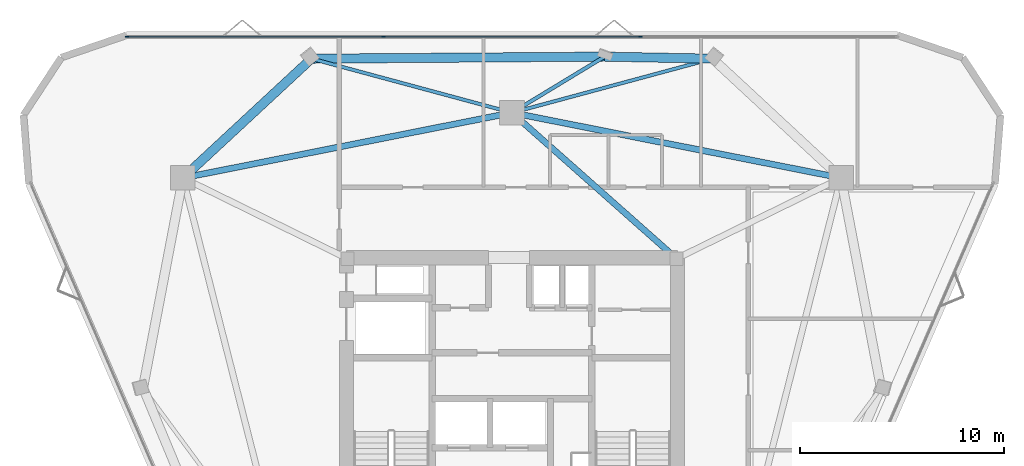
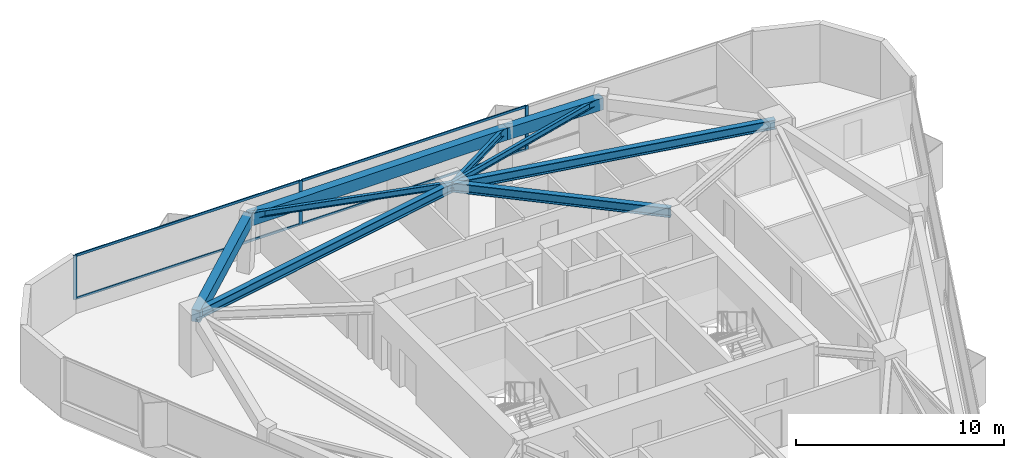
# One storey, part 6 of 11: 9 beams, 7 members, 1 element without a shape of its own.
"""IFC4 building model written with IfcOpenShell, lengths in metres."""

from ifc_helpers import new_model, si_unit, direction, frame, origin, origin_2d, place, context, subcontext, project, spatial, rectangle, i_section, extrude, material, layer, layer_set, material_profile, profile_set, type_object, element, aggregate, save


model = new_model("IFC4")

# Units and contexts
model_context = context("Model", 3, precision=1e-05, world=origin(), true_north=direction((0.0, 1.0)))
body_context = subcontext(model_context, "Body", "Model", "MODEL_VIEW")
ifc_project = project(units=[si_unit("LENGTHUNIT", "METRE"), si_unit("AREAUNIT", "SQUARE_METRE"), si_unit("VOLUMEUNIT", "CUBIC_METRE"), si_unit("PLANEANGLEUNIT", "RADIAN"), si_unit("MASSUNIT", "GRAM", prefix="KILO")], contexts=[model_context])

# Site, building, storey
site_placement = place(None, origin())
site = spatial("IfcSite", under=ifc_project, at=site_placement, CompositionType="ELEMENT")
building_placement = place(site_placement, origin())
building = spatial("IfcBuilding", under=site, at=building_placement, Name="Talyreon Biosciences Tower", CompositionType="ELEMENT")
storey_placement = place(building_placement, frame((0.0, 0.0, 235.25)))
storey = spatial("IfcBuildingStorey", under=building, at=storey_placement, Name="L62", CompositionType="ELEMENT", Elevation=235.25)

# Curtain wall, members
ifc_material_1 = material(Name="Thermally broken aluminium and low-E glazing", Category="aluminium")
ifc_layer = layer(ifc_material_1, 0.175048828125)
ifc_layer_set = layer_set([ifc_layer], Name="Thermally broken aluminium and low-E glazing")
curtain_wall_type = type_object("IfcCurtainWallType", Name="CurtainWall_Zone5CompLab", PredefinedType="NOTDEFINED", material=ifc_layer_set)
curtain_wall_placement = place(storey_placement, origin())
curtain_wall = element("IfcCurtainWall", 1, at=curtain_wall_placement, inside=storey, type_object=curtain_wall_type, Name="L62 Unitised Curtain Wall FCW-L62-04", PredefinedType="NOTDEFINED")
ifc_material_2 = material(Name="Anodised thermally broken aluminium", Category="aluminium")
ifc_material_profile_1 = material_profile(ifc_material_2, rectangle(XDim=0.06494140625, YDim=0.179931640625, at=origin_2d()), Name="ALUM MULLION 65x180")
ifc_profile_set_1 = profile_set([ifc_material_profile_1], Name="Anodised thermally broken aluminium")
member_type_1 = type_object("IfcMemberType", Name="CWMullion_65x180", PredefinedType="MULLION", material=ifc_profile_set_1)
member_1_placement = place(storey_placement, frame((47.1630859375, 85.504638671875, 0.81005859375), z_axis=(0.0, 0.0, 1.0), x_axis=(0.0, 1.0, 0.0)))
member_1 = element("IfcMember", 2, at=member_1_placement, type_object=member_type_1, Name="CW6 mullion 1", PredefinedType="MULLION", context=body_context, shape_type="SweptSolid", body=[
    extrude(rectangle(XDim=0.06494140625, YDim=0.179931640625, at=origin_2d()), origin(), (0.0, 0.0, 1.0), 2.58984375),
])
member_2_placement = place(storey_placement, frame((59.710205078125, 85.504638671875, 0.81005859375), z_axis=(0.0, 0.0, 1.0), x_axis=(0.0, 1.0, 0.0)))
member_2 = element("IfcMember", 3, at=member_2_placement, type_object=member_type_1, Name="CW6 mullion 2", PredefinedType="MULLION", context=body_context, shape_type="SweptSolid", body=[
    extrude(rectangle(XDim=0.06494140625, YDim=0.179931640625, at=origin_2d()), origin(), (0.0, 0.0, 1.0), 2.58984375),
])
member_3_placement = place(storey_placement, frame((72.289794921875, 85.504638671875, 0.81005859375), z_axis=(0.0, 0.0, 1.0), x_axis=(0.0, 1.0, 0.0)))
member_3 = element("IfcMember", 4, at=member_3_placement, type_object=member_type_1, Name="CW6 mullion 3", PredefinedType="MULLION", context=body_context, shape_type="SweptSolid", body=[
    extrude(rectangle(XDim=0.06494140625, YDim=0.179931640625, at=origin_2d()), origin(), (0.0, 0.0, 1.0), 2.58984375),
])
ifc_material_profile_2 = material_profile(ifc_material_2, rectangle(XDim=0.06494140625, YDim=0.139892578125, at=origin_2d()), Name="ALUM TRANSOM 65x140")
ifc_profile_set_2 = profile_set([ifc_material_profile_2], Name="Anodised thermally broken aluminium")
member_type_2 = type_object("IfcMemberType", Name="CWTransom_65x140", PredefinedType="USERDEFINED", material=ifc_profile_set_2)
member_4_placement = place(storey_placement, frame((47.19580078125, 85.504638671875, 0.842529296875), z_axis=(1.0, 0.0, 0.0), x_axis=(0.0, 1.0, 0.0)))
member_4 = element("IfcMember", 5, at=member_4_placement, type_object=member_type_2, Name="CW6 transom 1.1", ObjectType="TRANSOM", PredefinedType="USERDEFINED", context=body_context, shape_type="SweptSolid", body=[
    extrude(rectangle(XDim=0.06494140625, YDim=0.139892578125, at=origin_2d()), origin(), (0.0, 0.0, 1.0), 12.48193359375),
])
member_5_placement = place(storey_placement, frame((47.19580078125, 85.504638671875, 3.367431640625), z_axis=(1.0, 0.0, 0.0), x_axis=(0.0, 1.0, 0.0)))
member_5 = element("IfcMember", 6, at=member_5_placement, type_object=member_type_2, Name="CW6 transom 1.2", ObjectType="TRANSOM", PredefinedType="USERDEFINED", context=body_context, shape_type="SweptSolid", body=[
    extrude(rectangle(XDim=0.06494140625, YDim=0.139892578125, at=origin_2d()), origin(), (0.0, 0.0, 1.0), 12.48193359375),
])
member_6_placement = place(storey_placement, frame((59.74267578125, 85.504638671875, 0.842529296875), z_axis=(1.0, 0.0, 0.0), x_axis=(0.0, 1.0, 0.0)))
member_6 = element("IfcMember", 7, at=member_6_placement, type_object=member_type_2, Name="CW6 transom 2.1", ObjectType="TRANSOM", PredefinedType="USERDEFINED", context=body_context, shape_type="SweptSolid", body=[
    extrude(rectangle(XDim=0.06494140625, YDim=0.139892578125, at=origin_2d()), origin(), (0.0, 0.0, 1.0), 12.514404296875),
])
member_7_placement = place(storey_placement, frame((59.74267578125, 85.504638671875, 3.367431640625), z_axis=(1.0, 0.0, 0.0), x_axis=(0.0, 1.0, 0.0)))
member_7 = element("IfcMember", 8, at=member_7_placement, type_object=member_type_2, Name="CW6 transom 2.2", ObjectType="TRANSOM", PredefinedType="USERDEFINED", context=body_context, shape_type="SweptSolid", body=[
    extrude(rectangle(XDim=0.06494140625, YDim=0.139892578125, at=origin_2d()), origin(), (0.0, 0.0, 1.0), 12.514404296875),
])
aggregate(curtain_wall, [member_1, member_2, member_3, member_4, member_5, member_6, member_7])

# Beams
ifc_material_3 = material(Name="Precast concrete C45/55", Category="concrete")
ifc_material_profile_3 = material_profile(ifc_material_3, rectangle(XDim=0.449951171875, YDim=0.699951171875, at=origin_2d()), Name="RCB 450x700")
ifc_profile_set_3 = profile_set([ifc_material_profile_3], Name="Precast concrete C45/55")
beam_type_1 = type_object("IfcBeamType", Name="ExpressedSpandrel_450x700", PredefinedType="SPANDREL", material=ifc_profile_set_3)
beam_1_placement = place(storey_placement, frame((75.81201171875, 84.434814453125, 3.050048828125), z_axis=(-0.999821455841, 0.01889593713, 0.0), x_axis=(-0.01889593713, -0.999821455841, 0.0)))
element("IfcBeam", 9, at=beam_1_placement, inside=storey, type_object=beam_type_1, Name="L62 Expressed Horizontal Concrete Spandrel 06", PredefinedType="SPANDREL", context=body_context, shape_type="SweptSolid", body=[
    extrude(rectangle(XDim=0.449951171875, YDim=0.699951171875, at=origin_2d()), origin(), (0.0, 0.0, 1.0), 5.284423828125),
])
beam_2_placement = place(storey_placement, frame((70.528564453125, 84.53466796875, 3.050048828125), z_axis=(-0.999975759156, -0.00696283705, 0.0), x_axis=(0.00696283705, -0.999975759156, 0.0)))
element("IfcBeam", 10, at=beam_2_placement, inside=storey, type_object=beam_type_1, Name="L62 Expressed Horizontal Concrete Spandrel 07", PredefinedType="SPANDREL", context=body_context, shape_type="SweptSolid", body=[
    extrude(rectangle(XDim=0.449951171875, YDim=0.699951171875, at=origin_2d()), origin(), (0.0, 0.0, 1.0), 14.3408203125),
])
beam_3_placement = place(storey_placement, frame((56.18798828125, 84.434814453125, 3.050048828125), z_axis=(-0.733072106275, -0.680150929575, 0.0), x_axis=(0.680150929575, -0.733072106275, 0.0)))
element("IfcBeam", 11, at=beam_3_placement, inside=storey, type_object=beam_type_1, Name="L62 Expressed Horizontal Concrete Spandrel 08", PredefinedType="SPANDREL", context=body_context, shape_type="SweptSolid", body=[
    extrude(rectangle(XDim=0.449951171875, YDim=0.699951171875, at=origin_2d()), origin(), (0.0, 0.0, 1.0), 8.580810546875),
])
ifc_material_4 = material(Name="Steel SM355", Category="steel")
ifc_material_profile_4 = material_profile(ifc_material_4, i_section(OverallWidth=0.300048828125, OverallDepth=0.550048828125, WebThickness=0.014892578125, FlangeThickness=0.029052734375, FilletRadius=0.027099609375, at=origin_2d()), Name="HE550B")
ifc_profile_set_4 = profile_set([ifc_material_profile_4], Name="Steel SM355")
beam_type_2 = type_object("IfcBeamType", Name="SteelBeam_HE550B", PredefinedType="BEAM", material=ifc_profile_set_4)
for number, where, z_axis, x_axis, name in (
    (12, (82.102294921875, 78.5986328125, 3.125), (-0.980933730698, 0.194342522311, 0.0), (-0.194342522311, -0.980933730698, 0.0), "L62 Mega-Ring Girder 3"),
    (13, (66.0, 81.788818359375, 3.125), (-0.980933730698, -0.194342522311, 0.0), (0.194342522311, -0.980933730698, 0.0), "L62 Mega-Ring Girder 4"),
):
    element("IfcBeam", number, at=place(storey_placement, frame(where, z_axis=z_axis, x_axis=x_axis)), inside=storey, type_object=beam_type_2, Name=name, PredefinedType="BEAM", context=body_context, shape_type="SweptSolid", body=[
        extrude(i_section(OverallWidth=0.300048828125, OverallDepth=0.550048828125, WebThickness=0.014892578125, FlangeThickness=0.029052734375, FilletRadius=0.027099609375, at=origin_2d()), origin(), (0.0, 0.0, 1.0), 16.415283203125),
    ])
beam_4_placement = place(storey_placement, frame((74.050048828125, 74.64990234375, 3.125), z_axis=(-0.748178733955, 0.663497235908, 0.0), x_axis=(-0.663497235908, -0.748178733955, 0.0)))
element("IfcBeam", 14, at=beam_4_placement, inside=storey, type_object=beam_type_2, Name="L62 Radial Primary Girder 4", PredefinedType="BEAM", context=body_context, shape_type="SweptSolid", body=[
    extrude(i_section(OverallWidth=0.300048828125, OverallDepth=0.550048828125, WebThickness=0.014892578125, FlangeThickness=0.029052734375, FilletRadius=0.027099609375, at=origin_2d()), origin(), (0.0, 0.0, 1.0), 10.759521484375),
])
ifc_material_profile_5 = material_profile(ifc_material_4, i_section(OverallWidth=0.169921875, OverallDepth=0.360107421875, WebThickness=0.008056640625, FlangeThickness=0.0126953125, FilletRadius=0.01806640625, at=origin_2d()), Name="IPE360")
ifc_profile_set_5 = profile_set([ifc_material_profile_5], Name="Steel SM355")
beam_type_3 = type_object("IfcBeamType", Name="SteelJoist_IPE360", PredefinedType="JOIST", material=ifc_profile_set_5)
for number, where, z_axis, x_axis, name in (
    (15, (66.0, 81.788818359375, 3.219970703125), (0.965509443779, 0.260368035623, 0.0), (-0.260368035623, 0.965509443779, 0.0), "L62 Radial Composite Floor Joist PC-N1"),
    (16, (66.0, 81.788818359375, 3.219970703125), (-0.965509443779, 0.260368035623, 0.0), (-0.260368035623, -0.965509443779, 0.0), "L62 Radial Composite Floor Joist PC-N2"),
):
    element("IfcBeam", number, at=place(storey_placement, frame(where, z_axis=z_axis, x_axis=x_axis)), inside=storey, type_object=beam_type_3, Name=name, PredefinedType="JOIST", context=body_context, shape_type="SweptSolid", body=[
        extrude(i_section(OverallWidth=0.169921875, OverallDepth=0.360107421875, WebThickness=0.008056640625, FlangeThickness=0.0126953125, FilletRadius=0.01806640625, at=origin_2d()), origin(), (0.0, 0.0, 1.0), 10.16259765625),
    ])
ifc_material_profile_6 = material_profile(ifc_material_4, i_section(OverallWidth=0.179931640625, OverallDepth=0.39990234375, WebThickness=0.008544921875, FlangeThickness=0.013427734375, FilletRadius=0.02099609375, at=origin_2d()), Name="IPE400")
ifc_profile_set_6 = profile_set([ifc_material_profile_6], Name="Steel SM355")
beam_type_4 = type_object("IfcBeamType", Name="SteelJoist_IPE400", PredefinedType="JOIST", material=ifc_profile_set_6)
beam_5_placement = place(storey_placement, frame((66.0, 81.788818359375, 3.199951171875), z_axis=(0.855091931324, 0.518476411214, 0.0), x_axis=(-0.518476411214, 0.855091931324, 0.0)))
element("IfcBeam", 17, at=beam_5_placement, inside=storey, type_object=beam_type_4, Name="L62 Radial Composite Floor Joist PL-N", PredefinedType="JOIST", context=body_context, shape_type="SweptSolid", body=[
    extrude(i_section(OverallWidth=0.179931640625, OverallDepth=0.39990234375, WebThickness=0.008544921875, FlangeThickness=0.013427734375, FilletRadius=0.02099609375, at=origin_2d()), origin(), (0.0, 0.0, 1.0), 5.2958984375),
])

save(model, "model.ifc")
